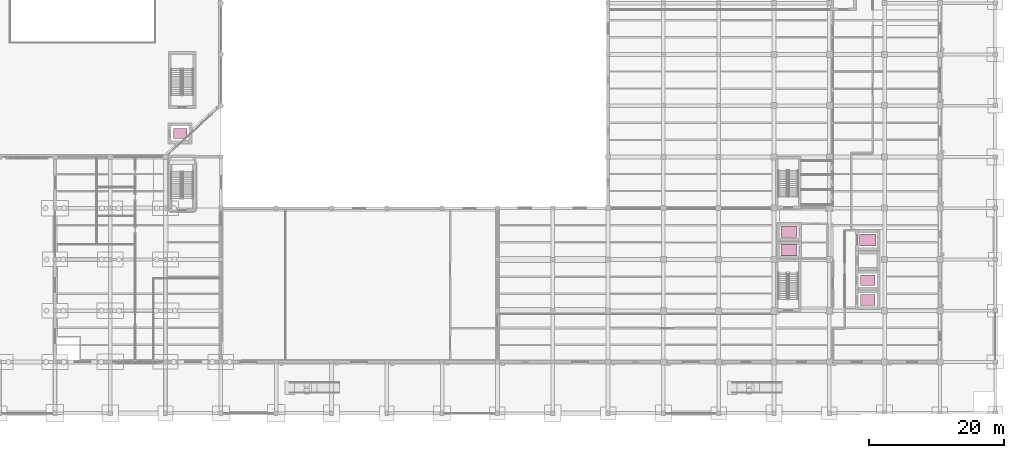
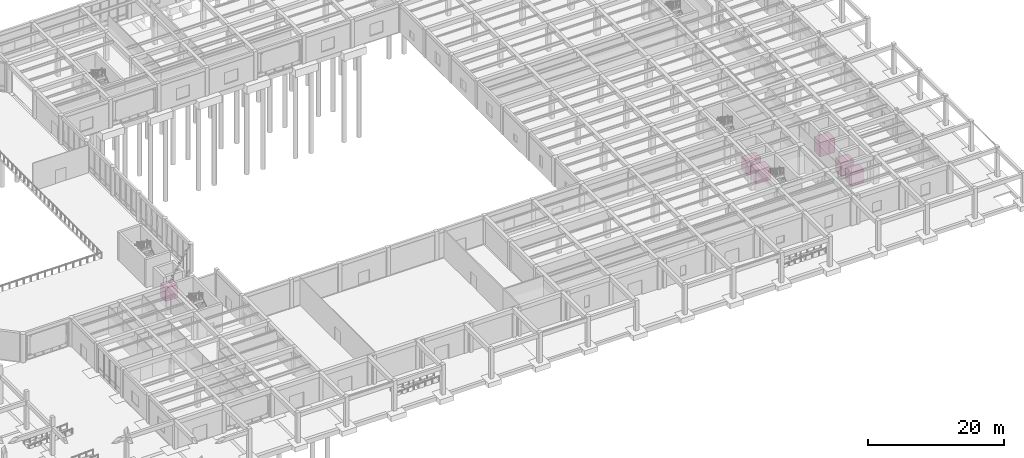
# One storey, part 64 of 64: 6 transport elements.
"""IFC4 building model written with IfcOpenShell, lengths in metres."""

from ifc_helpers import new_model, si_unit, direction, frame, origin, origin_2d, place, context, subcontext, project, spatial, rectangle, extrude, material, type_object, element, save


model = new_model("IFC4")

# Units and contexts
model_context = context("Model", 3, precision=1e-05, world=origin(), true_north=direction((0.0, 1.0)))
body_context = subcontext(model_context, "Body", "Model", "MODEL_VIEW")
ifc_project = project(units=[si_unit("LENGTHUNIT", "METRE"), si_unit("AREAUNIT", "SQUARE_METRE"), si_unit("VOLUMEUNIT", "CUBIC_METRE"), si_unit("PLANEANGLEUNIT", "RADIAN"), si_unit("MASSUNIT", "GRAM", prefix="KILO")], contexts=[model_context])

# Site, building, storey
site_placement = place(None, origin())
site = spatial("IfcSite", under=ifc_project, at=site_placement, CompositionType="ELEMENT")
building_placement = place(site_placement, origin())
building = spatial("IfcBuilding", under=site, at=building_placement, Name="Qandaris Square Conservatory and Botanical Centre", CompositionType="ELEMENT")
storey_placement = place(building_placement, origin())
storey = spatial("IfcBuildingStorey", under=building, at=storey_placement, Name="L00", CompositionType="ELEMENT", Elevation=0.0)

# Transport elements
ifc_material = material(Name="Stainless Steel", Category="steel")
transport_element_type_1 = type_object("IfcTransportElementType", Name="Conservatory Accessible Lift Car 1500x2000", PredefinedType="ELEVATOR", material=ifc_material)
transport_element_1_placement = place(storey_placement, frame((51.14990234375, 50.5, 0.0), z_axis=(0.0, 0.0, 1.0), x_axis=(1.0, 0.0, 0.0)))
element("IfcTransportElement", 1, at=transport_element_1_placement, inside=storey, type_object=transport_element_type_1, Name="Conservatory Passenger Lift CL1 (CL1)", PredefinedType="ELEVATOR", context=body_context, shape_type="SweptSolid", body=[
    extrude(rectangle(XDim=2.0, YDim=1.5, at=origin_2d()), origin(), (0.0, 0.0, 1.0), 2.39990234375),
])
transport_element_type_2 = type_object("IfcTransportElementType", Name="Firefighting Lift Car 1650x2400", PredefinedType="ELEVATOR", material=ifc_material)
for number, where, z_axis, x_axis, name in (
    (2, (141.429931640625, 33.199951171875, 0.0), (0.0, 0.0, 1.0), (1.0, 0.0, 0.0), "Firefighting Lift FFL1 (FFL1)"),
    (3, (141.429931640625, 35.89990234375, 0.0), (0.0, 0.0, 1.0), (1.0, 0.0, 0.0), "Firefighting Lift FFL2 (FFL2)"),
):
    element("IfcTransportElement", number, at=place(storey_placement, frame(where, z_axis=z_axis, x_axis=x_axis)), inside=storey, type_object=transport_element_type_2, Name=name, PredefinedType="ELEVATOR", context=body_context, shape_type="SweptSolid", body=[
        extrude(rectangle(XDim=2.39990234375, YDim=1.64990234375, at=origin_2d()), origin(), (0.0, 0.0, 1.0), 2.39990234375),
    ])
transport_element_type_3 = type_object("IfcTransportElementType", Name="Herbarium Goods Lift Car 1800x2500", PredefinedType="ELEVATOR", material=ifc_material)
transport_element_2_placement = place(storey_placement, frame((153.10009765625, 34.659912109375, 0.0), z_axis=(0.0, 0.0, 1.0), x_axis=(1.0, 0.0, 0.0)))
element("IfcTransportElement", 4, at=transport_element_2_placement, inside=storey, type_object=transport_element_type_3, Name="Herbarium Goods Lift GL1 (GL1)", PredefinedType="ELEVATOR", context=body_context, shape_type="SweptSolid", body=[
    extrude(rectangle(XDim=2.5, YDim=1.800048828125, at=origin_2d()), origin(), (0.0, 0.0, 1.0), 2.550048828125),
])
transport_element_type_4 = type_object("IfcTransportElementType", Name="Stretcher Passenger Lift Car 1600x2100", PredefinedType="ELEVATOR", material=ifc_material)
for number, where, z_axis, x_axis, name in (
    (5, (153.10009765625, 25.800048828125, 0.0), (0.0, 0.0, 1.0), (1.0, 0.0, 0.0), "Passenger Lift PL1 (PL1)"),
    (6, (153.10009765625, 28.719970703125, 0.0), (0.0, 0.0, 1.0), (1.0, 0.0, 0.0), "Passenger Lift PL2 (PL2)"),
):
    element("IfcTransportElement", number, at=place(storey_placement, frame(where, z_axis=z_axis, x_axis=x_axis)), inside=storey, type_object=transport_element_type_4, Name=name, PredefinedType="ELEVATOR", context=body_context, shape_type="SweptSolid", body=[
        extrude(rectangle(XDim=2.10009765625, YDim=1.60009765625, at=origin_2d()), origin(), (0.0, 0.0, 1.0), 2.39990234375),
    ])

save(model, "model.ifc")
